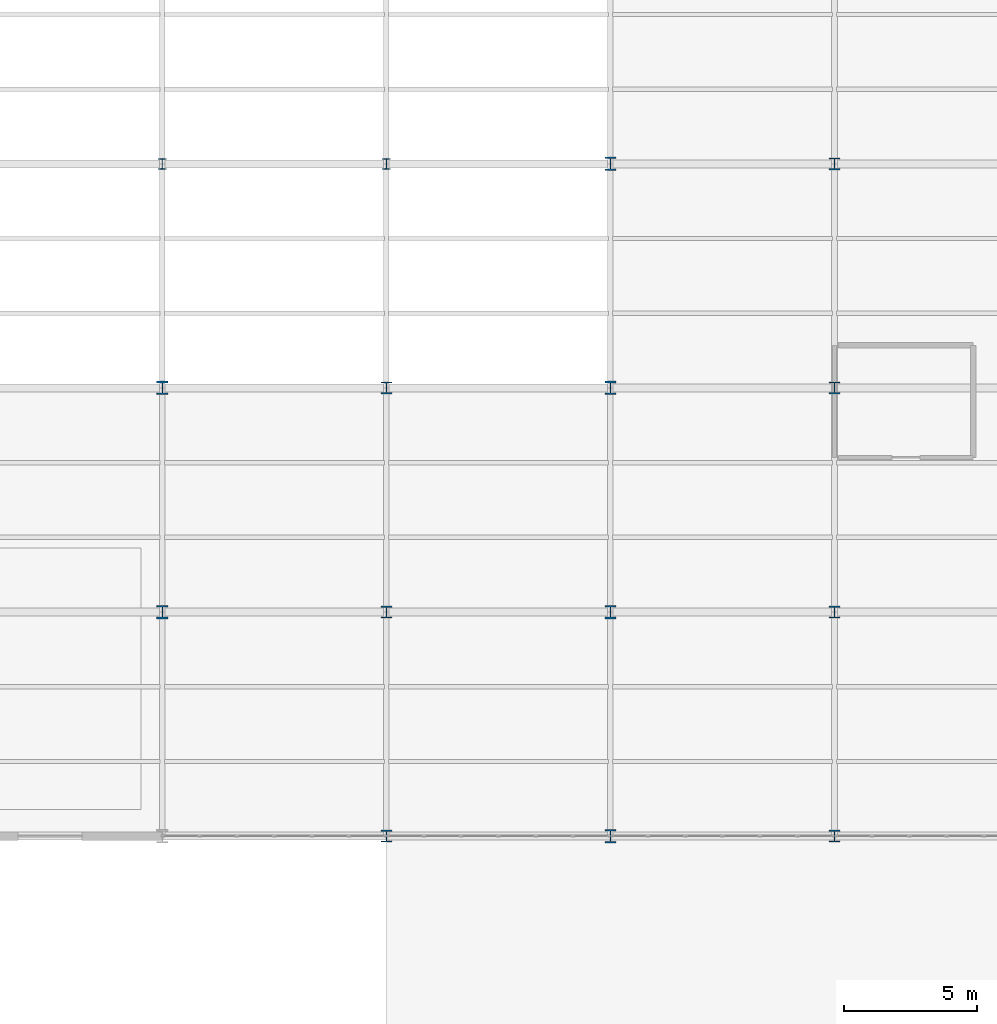
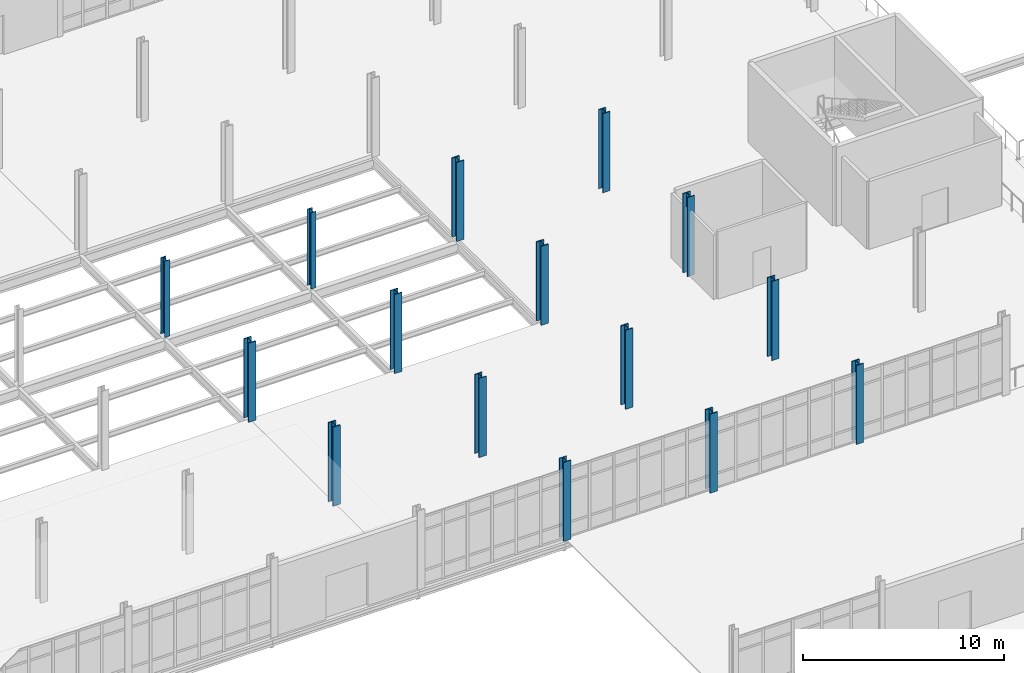
# One storey, part 14 of 145: 15 columns.
"""IFC4 building model written with IfcOpenShell, lengths in metres."""

from ifc_helpers import new_model, si_unit, direction, frame, origin, origin_2d, place, context, subcontext, project, spatial, i_section, extrude, material, material_profile, profile_set, type_object, element, save


model = new_model("IFC4")

# Units and contexts
model_context = context("Model", 3, precision=1e-05, world=origin(), true_north=direction((0.0, 1.0)))
body_context = subcontext(model_context, "Body", "Model", "MODEL_VIEW")
ifc_project = project(units=[si_unit("LENGTHUNIT", "METRE"), si_unit("AREAUNIT", "SQUARE_METRE"), si_unit("VOLUMEUNIT", "CUBIC_METRE"), si_unit("PLANEANGLEUNIT", "RADIAN"), si_unit("MASSUNIT", "GRAM", prefix="KILO")], contexts=[model_context])

# Site, building, storey
site_placement = place(None, origin())
site = spatial("IfcSite", under=ifc_project, at=site_placement, CompositionType="ELEMENT")
building_placement = place(site_placement, origin())
building = spatial("IfcBuilding", under=site, at=building_placement, Name="Qalvenar Corner Mobility Hub", CompositionType="ELEMENT")
storey_placement = place(building_placement, origin())
storey = spatial("IfcBuildingStorey", under=building, at=storey_placement, Name="L00", CompositionType="ELEMENT", Elevation=0.0)

# Columns
ifc_material = material(Name="Steel S355", Category="steel")
ifc_material_profile_1 = material_profile(ifc_material, i_section(OverallWidth=0.412109375, OverallDepth=0.455078125, WebThickness=0.030517578125, FlangeThickness=0.049072265625, FilletRadius=0.014892578125, at=origin_2d()), Name="HD400x421")
ifc_profile_set_1 = profile_set([ifc_material_profile_1], Name="Steel S355")
column_type_1 = type_object("IfcColumnType", Name="COL-HD400X382", PredefinedType="COLUMN", material=ifc_profile_set_1)
for number, where, z_axis, x_axis, name in (
    (1, (109.199951171875, 67.199951171875, 0.0), (0.0, 0.0, 1.0), (1.0, 0.0, 0.0), "Steel Column L00-G14-8"),
    (2, (109.199951171875, 75.60009765625, 0.0), (0.0, 0.0, 1.0), (1.0, 0.0, 0.0), "Steel Column L00-G14-9"),
    (3, (109.199951171875, 84.0, 0.0), (0.0, 0.0, 1.0), (1.0, 0.0, 0.0), "Steel Column L00-G14-10"),
    (4, (126.0, 67.199951171875, 0.0), (0.0, 0.0, 1.0), (1.0, 0.0, 0.0), "Steel Column L00-G16-8"),
    (5, (126.0, 75.60009765625, 0.0), (0.0, 0.0, 1.0), (1.0, 0.0, 0.0), "Steel Column L00-G16-9"),
    (6, (126.0, 84.0, 0.0), (0.0, 0.0, 1.0), (1.0, 0.0, 0.0), "Steel Column L00-G16-10"),
    (7, (126.0, 92.39990234375, 0.0), (0.0, 0.0, 1.0), (1.0, 0.0, 0.0), "Steel Column L00-G16-11"),
):
    element("IfcColumn", number, at=place(storey_placement, frame(where, z_axis=z_axis, x_axis=x_axis)), inside=storey, type_object=column_type_1, Name=name, PredefinedType="COLUMN", context=body_context, shape_type="SweptSolid", body=[
        extrude(i_section(OverallWidth=0.412109375, OverallDepth=0.455078125, WebThickness=0.030517578125, FlangeThickness=0.049072265625, FilletRadius=0.014892578125, at=origin_2d()), origin(), (0.0, 0.0, 1.0), 4.800048828125),
    ])
ifc_material_profile_2 = material_profile(ifc_material, i_section(OverallWidth=0.419921875, OverallDepth=0.5048828125, WebThickness=0.03662109375, FlangeThickness=0.05908203125, FilletRadius=0.014892578125, at=origin_2d()), Name="HD400x551")
ifc_profile_set_2 = profile_set([ifc_material_profile_2], Name="Steel S355")
column_type_2 = type_object("IfcColumnType", Name="COL-HD400X463", PredefinedType="COLUMN", material=ifc_profile_set_2)
for number, where, z_axis, x_axis, name in (
    (8, (100.800048828125, 75.60009765625, 0.0), (0.0, 0.0, 1.0), (1.0, 0.0, 0.0), "Steel Column L00-G13-9"),
    (9, (100.800048828125, 84.0, 0.0), (0.0, 0.0, 1.0), (1.0, 0.0, 0.0), "Steel Column L00-G13-10"),
    (10, (117.60009765625, 67.199951171875, 0.0), (0.0, 0.0, 1.0), (1.0, 0.0, 0.0), "Steel Column L00-G15-8"),
    (11, (117.60009765625, 75.60009765625, 0.0), (0.0, 0.0, 1.0), (1.0, 0.0, 0.0), "Steel Column L00-G15-9"),
    (12, (117.60009765625, 84.0, 0.0), (0.0, 0.0, 1.0), (1.0, 0.0, 0.0), "Steel Column L00-G15-10"),
    (13, (117.60009765625, 92.39990234375, 0.0), (0.0, 0.0, 1.0), (1.0, 0.0, 0.0), "Steel Column L00-G15-11"),
):
    element("IfcColumn", number, at=place(storey_placement, frame(where, z_axis=z_axis, x_axis=x_axis)), inside=storey, type_object=column_type_2, Name=name, PredefinedType="COLUMN", context=body_context, shape_type="SweptSolid", body=[
        extrude(i_section(OverallWidth=0.419921875, OverallDepth=0.5048828125, WebThickness=0.03662109375, FlangeThickness=0.05908203125, FilletRadius=0.014892578125, at=origin_2d()), origin(), (0.0, 0.0, 1.0), 4.800048828125),
    ])
ifc_material_profile_3 = material_profile(ifc_material, i_section(OverallWidth=0.300048828125, OverallDepth=0.39990234375, WebThickness=0.013427734375, FlangeThickness=0.02392578125, FilletRadius=0.027099609375, at=origin_2d()), Name="HEB400")
ifc_profile_set_3 = profile_set([ifc_material_profile_3], Name="Steel S355")
column_type_3 = type_object("IfcColumnType", Name="COL-HEB400", PredefinedType="COLUMN", material=ifc_profile_set_3)
for number, where, z_axis, x_axis, name in (
    (14, (100.800048828125, 92.39990234375, 0.0), (0.0, 0.0, 1.0), (1.0, 0.0, 0.0), "Steel Column L00-G13-11"),
    (15, (109.199951171875, 92.39990234375, 0.0), (0.0, 0.0, 1.0), (1.0, 0.0, 0.0), "Steel Column L00-G14-11"),
):
    element("IfcColumn", number, at=place(storey_placement, frame(where, z_axis=z_axis, x_axis=x_axis)), inside=storey, type_object=column_type_3, Name=name, PredefinedType="COLUMN", context=body_context, shape_type="SweptSolid", body=[
        extrude(i_section(OverallWidth=0.300048828125, OverallDepth=0.39990234375, WebThickness=0.013427734375, FlangeThickness=0.02392578125, FilletRadius=0.027099609375, at=origin_2d()), origin(), (0.0, 0.0, 1.0), 4.6298828125),
    ])

save(model, "model.ifc")
